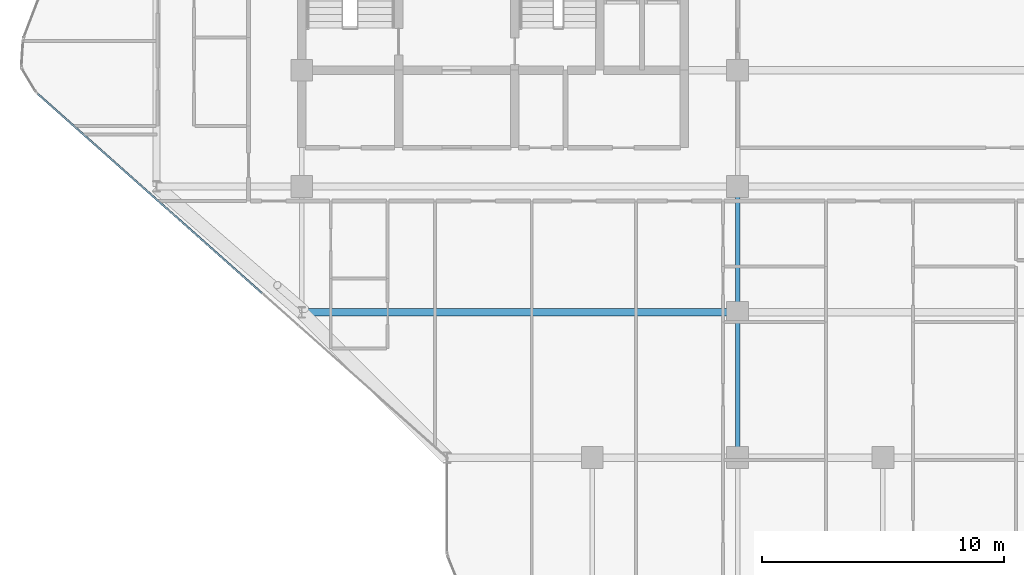
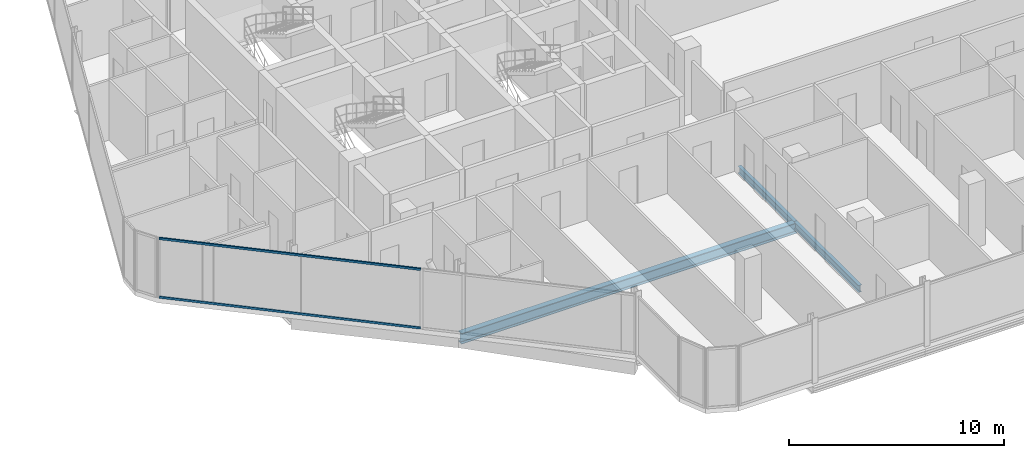
# One storey, part 7 of 29: 3 beams, 2 members, 1 element without a shape of its own.
"""IFC4 building model written with IfcOpenShell, lengths in metres."""

from ifc_helpers import new_model, si_unit, direction, frame, origin, origin_2d, place, context, subcontext, project, spatial, hollow_rectangle, i_section, extrude, material, layer, layer_set, material_profile, profile_set, type_object, element, aggregate, save


model = new_model("IFC4")

# Units and contexts
model_context = context("Model", 3, precision=1e-05, world=origin(), true_north=direction((0.0, 1.0)))
body_context = subcontext(model_context, "Body", "Model", "MODEL_VIEW")
ifc_project = project(units=[si_unit("LENGTHUNIT", "METRE"), si_unit("AREAUNIT", "SQUARE_METRE"), si_unit("VOLUMEUNIT", "CUBIC_METRE"), si_unit("PLANEANGLEUNIT", "RADIAN"), si_unit("MASSUNIT", "GRAM", prefix="KILO")], contexts=[model_context])

# Site, building, storey
site_placement = place(None, origin())
site = spatial("IfcSite", under=ifc_project, at=site_placement, CompositionType="ELEMENT")
building_placement = place(site_placement, origin())
building = spatial("IfcBuilding", under=site, at=building_placement, Name="Keshet Zoharim Tower", CompositionType="ELEMENT")
storey_placement = place(building_placement, frame((0.0, 0.0, 199.5)))
storey = spatial("IfcBuildingStorey", under=building, at=storey_placement, Name="L49", CompositionType="ELEMENT", Elevation=199.5)

# Beams
ifc_material_1 = material(Name="Steel S355", Category="steel")
ifc_material_profile_1 = material_profile(ifc_material_1, i_section(OverallWidth=0.300048828125, OverallDepth=0.60009765625, WebThickness=0.015380859375, FlangeThickness=0.030029296875, FilletRadius=0.027099609375, at=origin_2d()), Name="HEB600")
ifc_profile_set_1 = profile_set([ifc_material_profile_1], Name="Steel S355")
beam_type_1 = type_object("IfcBeamType", Name="BM-LNG-HB600", PredefinedType="BEAM", material=ifc_profile_set_1)
beam_1_placement = place(storey_placement, frame((15.0, 12.699951171875, -0.610107421875), z_axis=(1.0, 0.0, 0.0), x_axis=(0.0, 1.0, 0.0)))
element("IfcBeam", 1, at=beam_1_placement, inside=storey, type_object=beam_type_1, Name="L49 Primary Girder X-009", PredefinedType="BEAM", context=body_context, shape_type="SweptSolid", body=[
    extrude(i_section(OverallWidth=0.300048828125, OverallDepth=0.60009765625, WebThickness=0.015380859375, FlangeThickness=0.030029296875, FilletRadius=0.027099609375, at=origin_2d()), origin(), (0.0, 0.0, 1.0), 18.0),
])
ifc_material_profile_2 = material_profile(ifc_material_1, i_section(OverallWidth=0.179931640625, OverallDepth=0.39990234375, WebThickness=0.008544921875, FlangeThickness=0.013427734375, FilletRadius=0.02099609375, at=origin_2d()), Name="IPE400")
ifc_profile_set_2 = profile_set([ifc_material_profile_2], Name="Steel S355")
beam_type_2 = type_object("IfcBeamType", Name="BM-PRI-IP400", PredefinedType="BEAM", material=ifc_profile_set_2)
beam_2_placement = place(storey_placement, frame((33.0, 6.699951171875, -0.510009765625), z_axis=(0.0, 1.0, 0.0), x_axis=(-1.0, 0.0, 0.0)))
element("IfcBeam", 2, at=beam_2_placement, inside=storey, type_object=beam_type_2, Name="L49 Primary Girder Y-006", PredefinedType="BEAM", context=body_context, shape_type="SweptSolid", body=[
    extrude(i_section(OverallWidth=0.179931640625, OverallDepth=0.39990234375, WebThickness=0.008544921875, FlangeThickness=0.013427734375, FilletRadius=0.02099609375, at=origin_2d()), origin(), (0.0, 0.0, 1.0), 6.0),
])
beam_3_placement = place(storey_placement, frame((33.0, 12.699951171875, -0.510009765625), z_axis=(0.0, 1.0, 0.0), x_axis=(-1.0, 0.0, 0.0)))
element("IfcBeam", 3, at=beam_3_placement, inside=storey, type_object=beam_type_2, Name="L49 Primary Girder Y-007", PredefinedType="BEAM", context=body_context, shape_type="SweptSolid", body=[
    extrude(i_section(OverallWidth=0.179931640625, OverallDepth=0.39990234375, WebThickness=0.008544921875, FlangeThickness=0.013427734375, FilletRadius=0.02099609375, at=origin_2d()), origin(), (0.0, 0.0, 1.0), 5.199951171875),
])

# Curtain wall, members
ifc_material_2 = material(Name="Aluminium 6063-T6", Category="aluminium")
ifc_layer = layer(ifc_material_2, 0.139892578125)
ifc_layer_set = layer_set([ifc_layer], Name="Aluminium 6063-T6")
curtain_wall_type = type_object("IfcCurtainWallType", Name="CW-SYS-05", PredefinedType="NOTDEFINED", material=ifc_layer_set)
curtain_wall_placement = place(storey_placement, origin())
curtain_wall = element("IfcCurtainWall", 4, at=curtain_wall_placement, inside=storey, type_object=curtain_wall_type, Name="L49 Unitised Curtain Wall 10 Part 3", PredefinedType="NOTDEFINED")
ifc_material_profile_3 = material_profile(ifc_material_2, hollow_rectangle(XDim=0.074951171875, YDim=0.1201171875, WallThickness=0.00390625, at=origin_2d()), Name="TRN-75x120")
ifc_profile_set_3 = profile_set([ifc_material_profile_3], Name="Aluminium 6063-T6")
member_type = type_object("IfcMemberType", Name="CWT-T12", PredefinedType="USERDEFINED", material=ifc_profile_set_3)
member_1_placement = place(storey_placement, frame((13.3623046875, 13.489013671875, 0.034912109375), z_axis=(-0.747408233231, 0.664365059962, 0.0), x_axis=(-0.664365059962, -0.747408233231, 0.0)))
member_1 = element("IfcMember", 5, at=member_1_placement, type_object=member_type, Name="CW-05 transom 1.1", ObjectType="TRANSOM", PredefinedType="USERDEFINED", context=body_context, shape_type="SweptSolid", body=[
    extrude(hollow_rectangle(XDim=0.074951171875, YDim=0.1201171875, WallThickness=0.00390625, at=origin_2d()), origin(), (0.0, 0.0, 1.0), 12.409423828125),
])
member_2_placement = place(storey_placement, frame((13.3623046875, 13.489013671875, 3.35498046875), z_axis=(-0.747408233231, 0.664365059962, 0.0), x_axis=(-0.664365059962, -0.747408233231, 0.0)))
member_2 = element("IfcMember", 6, at=member_2_placement, type_object=member_type, Name="CW-05 transom 1.2", ObjectType="TRANSOM", PredefinedType="USERDEFINED", context=body_context, shape_type="SweptSolid", body=[
    extrude(hollow_rectangle(XDim=0.074951171875, YDim=0.1201171875, WallThickness=0.00390625, at=origin_2d()), origin(), (0.0, 0.0, 1.0), 12.409423828125),
])
aggregate(curtain_wall, [member_1, member_2])

save(model, "model.ifc")
